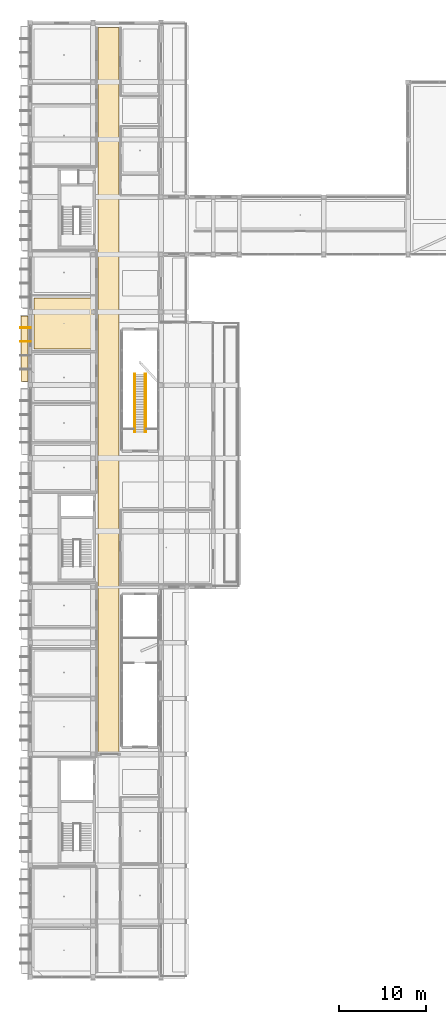
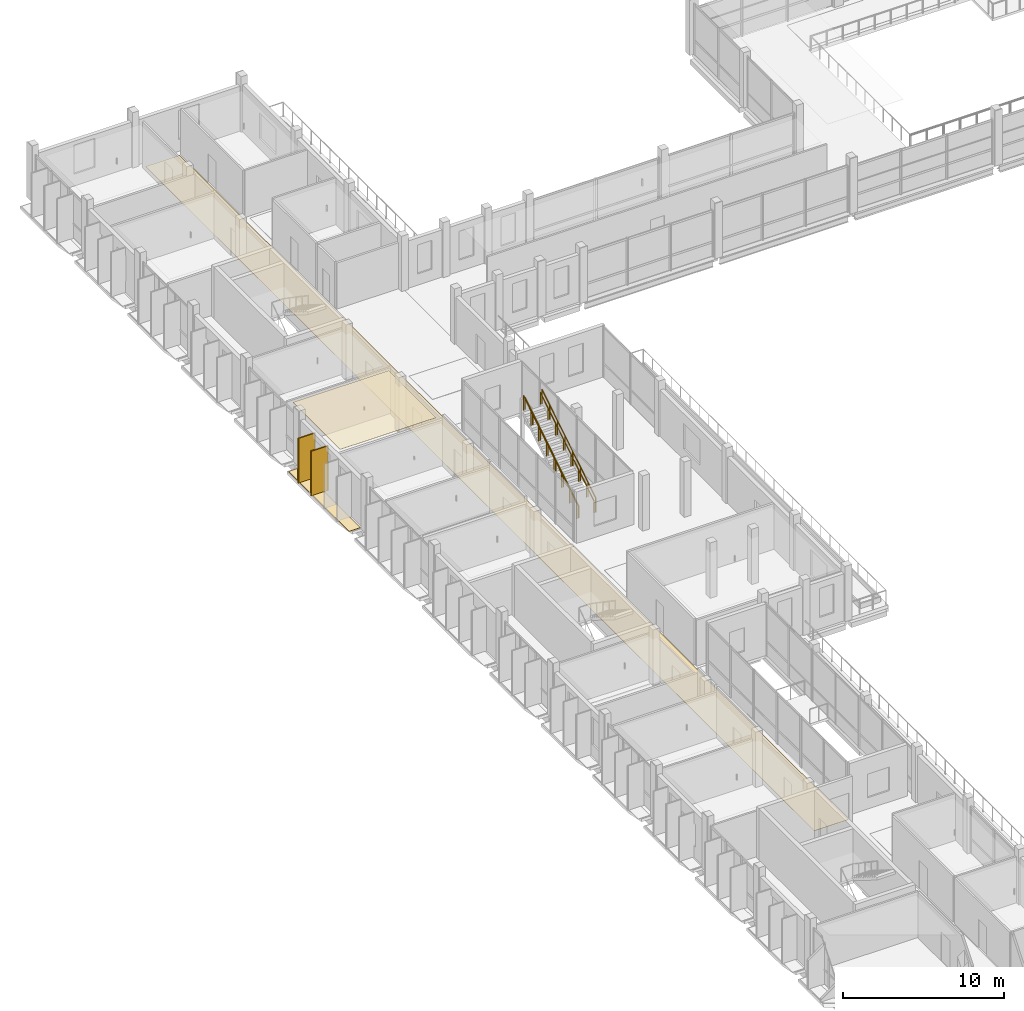
# One storey, part 75 of 85: 5 coverings, 4 railings, 2 shading devices.
"""IFC4 building model written with IfcOpenShell, lengths in metres."""

from ifc_helpers import new_model, si_unit, derived_unit, direction, frame, origin, origin_2d, place, context, subcontext, project, spatial, polyline, rectangle, circle, outline, extrude, material, layer, layer_set, type_object, element, save


model = new_model("IFC4")

# Units and contexts
model_context = context("Model", 3, precision=1e-05, world=origin(), true_north=direction((0.0, 1.0)))
body_context = subcontext(model_context, "Body", "Model", "MODEL_VIEW")
ifc_project = project(units=[si_unit("LENGTHUNIT", "METRE"), si_unit("AREAUNIT", "SQUARE_METRE"), si_unit("VOLUMEUNIT", "CUBIC_METRE"), si_unit("PLANEANGLEUNIT", "RADIAN"), si_unit("MASSUNIT", "GRAM", prefix="KILO"), derived_unit("THERMALTRANSMITTANCEUNIT", [(si_unit("POWERUNIT", "WATT"), 1), (si_unit("LENGTHUNIT", "METRE"), -2), (si_unit("THERMODYNAMICTEMPERATUREUNIT", "KELVIN"), -1)])], contexts=[model_context])

# Site, building, storey
site_placement = place(None, origin())
site = spatial("IfcSite", under=ifc_project, at=site_placement, CompositionType="ELEMENT")
building_placement = place(site_placement, origin())
building = spatial("IfcBuilding", under=site, at=building_placement, Name="Braskholm Square Health Centre", CompositionType="ELEMENT")
storey_placement = place(building_placement, frame((0.0, 0.0, 9.300048828125)))
storey = spatial("IfcBuildingStorey", under=building, at=storey_placement, Name="L03", CompositionType="ELEMENT", Elevation=9.300048828125)

# Covering
ifc_material_1 = material(Name="Fire-rated gypsum board barrier")
ifc_layer_1 = layer(ifc_material_1, 0.02490234375)
ifc_layer_set_1 = layer_set([ifc_layer_1], Name="Fire-rated gypsum board barrier")
covering_type_1 = type_object("IfcCoveringType", Name="AcousticClinicalCeilingTile", PredefinedType="CEILING", material=ifc_layer_set_1)
covering_1_placement = place(storey_placement, frame((0.0, 0.0, 3.46484375)))
element("IfcCovering", 1, at=covering_1_placement, inside=storey, type_object=covering_type_1, Name="Acoustic ceiling L03-079", PredefinedType="CEILING", context=body_context, shape_type="SweptSolid", body=[
    extrude(outline(polyline([(4.6201171875, 76.330078125), (11.5, 76.330078125), (11.5, 82.22998046875), (4.6201171875, 82.22998046875), (4.6201171875, 76.330078125)])), origin(), (0.0, 0.0, 1.0), 0.025146484375),
])

# Railings
ifc_material_2 = material(Name="Dark patinated chevron architectural bronze", Category="aluminium")
railing_type_1 = type_object("IfcRailingType", Name="BronzeChevronGuardrail1100", PredefinedType="GUARDRAIL", material=ifc_material_2)
for number, where, name in (
    (2, (16.1298828125, 66.800048828125, 0.0), "Stair ST-09 side guard L"),
    (3, (17.469970703125, 66.800048828125, 0.0), "Stair ST-09 side guard R"),
):
    element("IfcRailing", number, at=place(storey_placement, frame(where)), inside=storey, type_object=railing_type_1, Name=name, PredefinedType="GUARDRAIL", context=body_context, shape_type="SweptSolid", body=[
        extrude(circle(Radius=0.02392578125, at=origin_2d()), frame((0.0, 0.0, 1.076171875), z_axis=(0.0, 0.846211632221, 0.532846951285), x_axis=(-1.0, 0.0, 0.0)), (0.0, 0.0, 1.0), 7.882080078125),
        extrude(circle(Radius=0.02099609375, at=origin_2d()), origin(), (0.0, 0.0, 1.0), 1.052001953125),
        extrude(circle(Radius=0.02099609375, at=origin_2d()), frame((0.0, 0.952880859375, 0.60009765625)), (0.0, 0.0, 1.0), 1.052001953125),
        extrude(circle(Radius=0.02099609375, at=origin_2d()), frame((0.0, 1.90576171875, 1.199951171875)), (0.0, 0.0, 1.0), 1.052001953125),
        extrude(circle(Radius=0.02099609375, at=origin_2d()), frame((0.0, 2.858642578125, 1.800048828125)), (0.0, 0.0, 1.0), 1.052001953125),
        extrude(circle(Radius=0.02099609375, at=origin_2d()), frame((0.0, 3.811279296875, 2.39990234375)), (0.0, 0.0, 1.0), 1.052001953125),
        extrude(circle(Radius=0.02099609375, at=origin_2d()), frame((0.0, 4.76416015625, 3.0)), (0.0, 0.0, 1.0), 1.052001953125),
        extrude(circle(Radius=0.02099609375, at=origin_2d()), frame((0.0, 5.717041015625, 3.599853515625)), (0.0, 0.0, 1.0), 1.052001953125),
        extrude(circle(Radius=0.02099609375, at=origin_2d()), frame((0.0, 6.669921875, 4.199951171875)), (0.0, 0.0, 1.0), 1.052001953125),
    ])

# Shading devices
ifc_material_3 = material(Name="Thermally modified western red cedar with bronze trim", Category="wood")
shading_device_type = type_object("IfcShadingDeviceType", Name="CedarBronzeShadingFin1250", PredefinedType="USERDEFINED", material=ifc_material_3)
for number, where, z_axis, x_axis, name in (
    (4, (3.635009765625, 77.199951171875, 0.0), (0.0, 0.0, 1.0), (1.0, 0.0, 0.0), "Warm cedar-bronze vertical shading slat 0086"),
    (5, (3.635009765625, 78.800048828125, 0.0), (0.0, 0.0, 1.0), (1.0, 0.0, 0.0), "Warm cedar-bronze vertical shading slat 0087"),
):
    element("IfcShadingDevice", number, at=place(storey_placement, frame(where, z_axis=z_axis, x_axis=x_axis)), inside=storey, type_object=shading_device_type, Name=name, ObjectType="FIN", PredefinedType="USERDEFINED", context=body_context, shape_type="SweptSolid", body=[
        extrude(rectangle(XDim=1.25, YDim=0.0849609375, at=origin_2d()), origin(), (0.0, 0.0, 1.0), 3.39990234375),
    ])

# Coverings
ifc_layer_2 = layer(ifc_material_3, 0.0849609375)
ifc_layer_set_2 = layer_set([ifc_layer_2], Name="Thermally modified western red cedar with bronze trim")
covering_type_2 = type_object("IfcCoveringType", Name="CedarBronzeSlatCladding", PredefinedType="CLADDING", material=ifc_layer_set_2)
for number, where, z_axis, x_axis, name in (
    (6, (3.6298828125, 77.199951171875, 0.0), (0.0, 0.0, 1.0), (1.0, 0.0, 0.0), "Cedar-bronze shading slat trim 0507"),
    (7, (3.6298828125, 78.800048828125, 0.0), (0.0, 0.0, 1.0), (1.0, 0.0, 0.0), "Cedar-bronze shading slat trim 0508"),
):
    element("IfcCovering", number, at=place(storey_placement, frame(where, z_axis=z_axis, x_axis=x_axis)), inside=storey, type_object=covering_type_2, Name=name, PredefinedType="CLADDING", context=body_context, shape_type="SweptSolid", body=[
        extrude(rectangle(XDim=1.179931640625, YDim=0.094970703125, at=origin_2d()), origin(), (0.0, 0.0, 1.0), 3.39990234375),
    ])
ifc_material_4 = material(Name="Intensive botanical sedum and native prairie garden bed")
ifc_layer_3 = layer(ifc_material_4, 0.02490234375)
ifc_layer_set_3 = layer_set([ifc_layer_3], Name="Intensive botanical sedum and native prairie garden bed")
covering_type_3 = type_object("IfcCoveringType", Name="PlantedTerraceGardenBed", PredefinedType="ROOFING", material=ifc_layer_set_3)
covering_2_placement = place(storey_placement, origin())
element("IfcCovering", 8, at=covering_2_placement, inside=storey, type_object=covering_type_3, Name="West floor planter ledge sedum strip 0509", PredefinedType="ROOFING", context=body_context, shape_type="SweptSolid", body=[
    extrude(outline(polyline([(3.1201171875, 72.639892578125), (3.949951171875, 72.639892578125), (3.949951171875, 80.159912109375), (3.1201171875, 80.159912109375), (3.1201171875, 72.639892578125)])), origin(), (0.0, 0.0, 1.0), 0.02490234375),
])
ifc_material_5 = material(Name="Polished geometric terrazzo flooring", Category="masonry")
ifc_layer_4 = layer(ifc_material_5, 0.02001953125)
ifc_layer_set_4 = layer_set([ifc_layer_4], Name="Polished geometric terrazzo flooring")
covering_type_4 = type_object("IfcCoveringType", Name="PolishedTerrazzoFloorFinish", PredefinedType="FLOORING", material=ifc_layer_set_4)
covering_3_placement = place(storey_placement, origin())
element("IfcCovering", 9, at=covering_3_placement, inside=storey, type_object=covering_type_4, Name="Polished terrazzo floor L03-069", PredefinedType="FLOORING", context=body_context, shape_type="SweptSolid", body=[
    extrude(outline(polyline([(11.949951171875, 30.050048828125), (14.39990234375, 30.050048828125), (14.39990234375, 113.25), (11.949951171875, 113.25), (11.949951171875, 30.050048828125)])), origin(), (0.0, 0.0, 1.0), 0.02001953125),
])

# Railings
railing_type_2 = type_object("IfcRailingType", Name="StairTubularHandrail915", PredefinedType="HANDRAIL", material=ifc_material_2)
for number, where, name in (
    (10, (16.2509765625, 66.800048828125, 0.0), "Stair ST-09 tubular handrail L"),
    (11, (17.34912109375, 66.800048828125, 0.0), "Stair ST-09 tubular handrail R"),
):
    element("IfcRailing", number, at=place(storey_placement, frame(where)), inside=storey, type_object=railing_type_2, Name=name, PredefinedType="HANDRAIL", context=body_context, shape_type="SweptSolid", body=[
        extrude(circle(Radius=0.02392578125, at=origin_2d()), frame((0.0, 0.0, 0.89111328125), z_axis=(0.0, 0.846211632221, 0.532846951285), x_axis=(-1.0, 0.0, 0.0)), (0.0, 0.0, 1.0), 7.882080078125),
        extrude(circle(Radius=0.02099609375, at=origin_2d()), origin(), (0.0, 0.0, 1.0), 0.866943359375),
        extrude(circle(Radius=0.02099609375, at=origin_2d()), frame((0.0, 0.952880859375, 0.60009765625)), (0.0, 0.0, 1.0), 0.866943359375),
        extrude(circle(Radius=0.02099609375, at=origin_2d()), frame((0.0, 1.90576171875, 1.199951171875)), (0.0, 0.0, 1.0), 0.866943359375),
        extrude(circle(Radius=0.02099609375, at=origin_2d()), frame((0.0, 2.858642578125, 1.800048828125)), (0.0, 0.0, 1.0), 0.866943359375),
        extrude(circle(Radius=0.02099609375, at=origin_2d()), frame((0.0, 3.811279296875, 2.39990234375)), (0.0, 0.0, 1.0), 0.866943359375),
        extrude(circle(Radius=0.02099609375, at=origin_2d()), frame((0.0, 4.76416015625, 3.0)), (0.0, 0.0, 1.0), 0.866943359375),
        extrude(circle(Radius=0.02099609375, at=origin_2d()), frame((0.0, 5.717041015625, 3.599853515625)), (0.0, 0.0, 1.0), 0.866943359375),
        extrude(circle(Radius=0.02099609375, at=origin_2d()), frame((0.0, 6.669921875, 4.199951171875)), (0.0, 0.0, 1.0), 0.866943359375),
    ])

save(model, "model.ifc")
